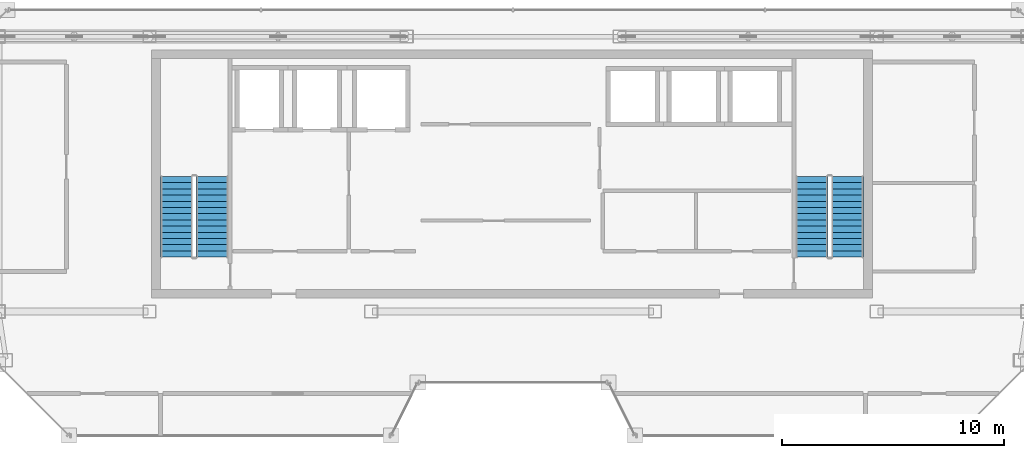
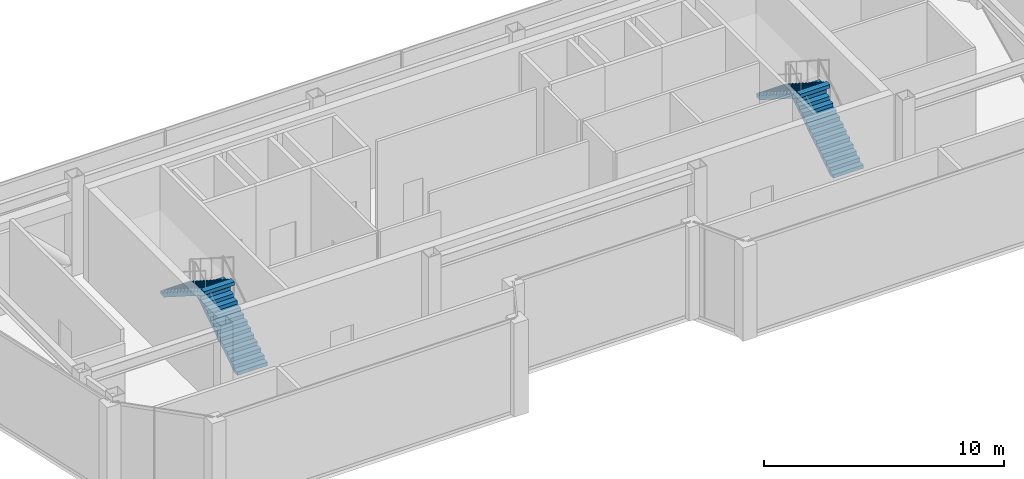
# One storey, part 17 of 20: 4 stair flights, 2 elements without a shape of their own.
"""IFC4 building model written with IfcOpenShell, lengths in metres."""

from ifc_helpers import new_model, si_unit, direction, frame, origin, place, context, subcontext, project, spatial, polyline, outline, extrude, material, type_object, element, aggregate, save


model = new_model("IFC4")

# Units and contexts
model_context = context("Model", 3, precision=1e-05, world=origin(), true_north=direction((0.0, 1.0)))
body_context = subcontext(model_context, "Body", "Model", "MODEL_VIEW")
ifc_project = project(units=[si_unit("LENGTHUNIT", "METRE"), si_unit("AREAUNIT", "SQUARE_METRE"), si_unit("VOLUMEUNIT", "CUBIC_METRE"), si_unit("PLANEANGLEUNIT", "RADIAN"), si_unit("MASSUNIT", "GRAM", prefix="KILO")], contexts=[model_context])

# Site, building, storey
site_placement = place(None, origin())
site = spatial("IfcSite", under=ifc_project, at=site_placement, CompositionType="ELEMENT")
building_placement = place(site_placement, origin())
building = spatial("IfcBuilding", under=site, at=building_placement, Name="Saevonmaru Cultural Tower", CompositionType="ELEMENT")
storey_placement = place(building_placement, frame((0.0, 0.0, 314.199951171875)))
storey = spatial("IfcBuildingStorey", under=building, at=storey_placement, Name="L75", CompositionType="ELEMENT", Elevation=314.199951171875)

# Stair, stair flights
ifc_material_1 = material(Name="Concrete C40/50", Category="concrete")
stair_type = type_object("IfcStairType", Name="STR-DOGLEG-RC", PredefinedType="HALF_TURN_STAIR", material=ifc_material_1)
stair_1_placement = place(storey_placement, origin())
stair_1 = element("IfcStair", 1, at=stair_1_placement, inside=storey, type_object=stair_type, Name="L75 Protected exit stair ST-1", PredefinedType="HALF_TURN_STAIR")
ifc_material_2 = material(Name="Precast concrete C40/50", Category="concrete")
stair_flight_type = type_object("IfcStairFlightType", Name="STF-PRECAST-180", PredefinedType="STRAIGHT", material=ifc_material_2)
stair_flight_1_placement = place(storey_placement, frame((16.425048828125, 44.85009765625, 0.0), z_axis=(0.0, 0.0, 1.0), x_axis=(0.0, 1.0, 0.0)))
stair_flight_1 = element("IfcStairFlight", 2, at=stair_flight_1_placement, type_object=stair_flight_type, Name="ST-1-L75 flight 1", NumberOfRisers=14, NumberOfTreads=13, PredefinedType="STRAIGHT", RiserHeight=0.178571429, TreadLength=0.28, context=body_context, shape_type="SweptSolid", body=[
    extrude(outline(polyline([(0.0, 0.0), (0.0, 0.178466796875), (0.280029296875, 0.178466796875), (0.280029296875, 0.357177734375), (0.56005859375, 0.357177734375), (0.56005859375, 0.53564453125), (0.840087890625, 0.53564453125), (0.840087890625, 0.71435546875), (1.1201171875, 0.71435546875), (1.1201171875, 0.892822265625), (1.39990234375, 0.892822265625), (1.39990234375, 1.071533203125), (1.679931640625, 1.071533203125), (1.679931640625, 1.25), (1.9599609375, 1.25), (1.9599609375, 1.428466796875), (2.239990234375, 1.428466796875), (2.239990234375, 1.607177734375), (2.52001953125, 1.607177734375), (2.52001953125, 1.78564453125), (2.800048828125, 1.78564453125), (2.800048828125, 1.96435546875), (3.080078125, 1.96435546875), (3.080078125, 2.142822265625), (3.360107421875, 2.142822265625), (3.360107421875, 2.321533203125), (3.639892578125, 2.321533203125), (3.639892578125, 2.5), (3.639892578125, 2.1435546875), (0.27880859375, 0.0), (0.0, 0.0)])), frame((0.0, 0.72509765625, 0.0), z_axis=(0.0, -1.0, 0.0), x_axis=(1.0, 0.0, 0.0)), (0.0, 0.0, 1.0), 1.449951171875),
])
stair_flight_2_placement = place(storey_placement, frame((14.824951171875, 48.489990234375, 2.5), z_axis=(0.0, 0.0, 1.0), x_axis=(0.0, -1.0, 0.0)))
stair_flight_2 = element("IfcStairFlight", 3, at=stair_flight_2_placement, type_object=stair_flight_type, Name="ST-1-L75 flight 2", NumberOfRisers=14, NumberOfTreads=13, PredefinedType="STRAIGHT", RiserHeight=0.178571429, TreadLength=0.28, context=body_context, shape_type="SweptSolid", body=[
    extrude(outline(polyline([(0.0, 0.0), (0.0, 0.178466796875), (0.280029296875, 0.178466796875), (0.280029296875, 0.357177734375), (0.56005859375, 0.357177734375), (0.56005859375, 0.53564453125), (0.840087890625, 0.53564453125), (0.840087890625, 0.71435546875), (1.1201171875, 0.71435546875), (1.1201171875, 0.892822265625), (1.39990234375, 0.892822265625), (1.39990234375, 1.071533203125), (1.679931640625, 1.071533203125), (1.679931640625, 1.25), (1.9599609375, 1.25), (1.9599609375, 1.428466796875), (2.239990234375, 1.428466796875), (2.239990234375, 1.607177734375), (2.52001953125, 1.607177734375), (2.52001953125, 1.78564453125), (2.800048828125, 1.78564453125), (2.800048828125, 1.96435546875), (3.080078125, 1.96435546875), (3.080078125, 2.142822265625), (3.360107421875, 2.142822265625), (3.360107421875, 2.321533203125), (3.639892578125, 2.321533203125), (3.639892578125, 2.5), (3.639892578125, 2.1435546875), (0.27880859375, 0.0), (0.0, 0.0)])), frame((0.0, 0.72509765625, 0.0), z_axis=(0.0, -1.0, 0.0), x_axis=(1.0, 0.0, 0.0)), (0.0, 0.0, 1.0), 1.449951171875),
])
aggregate(stair_1, [stair_flight_1, stair_flight_2])

stair_2_placement = place(storey_placement, origin())
stair_2 = element("IfcStair", 4, at=stair_2_placement, inside=storey, type_object=stair_type, Name="L75 Protected exit stair ST-2", PredefinedType="HALF_TURN_STAIR")
stair_flight_3_placement = place(storey_placement, frame((45.074951171875, 44.85009765625, 0.0), z_axis=(0.0, 0.0, 1.0), x_axis=(0.0, 1.0, 0.0)))
stair_flight_3 = element("IfcStairFlight", 5, at=stair_flight_3_placement, type_object=stair_flight_type, Name="ST-2-L75 flight 1", NumberOfRisers=14, NumberOfTreads=13, PredefinedType="STRAIGHT", RiserHeight=0.178571429, TreadLength=0.28, context=body_context, shape_type="SweptSolid", body=[
    extrude(outline(polyline([(0.0, 0.0), (0.0, 0.178466796875), (0.280029296875, 0.178466796875), (0.280029296875, 0.357177734375), (0.56005859375, 0.357177734375), (0.56005859375, 0.53564453125), (0.840087890625, 0.53564453125), (0.840087890625, 0.71435546875), (1.1201171875, 0.71435546875), (1.1201171875, 0.892822265625), (1.39990234375, 0.892822265625), (1.39990234375, 1.071533203125), (1.679931640625, 1.071533203125), (1.679931640625, 1.25), (1.9599609375, 1.25), (1.9599609375, 1.428466796875), (2.239990234375, 1.428466796875), (2.239990234375, 1.607177734375), (2.52001953125, 1.607177734375), (2.52001953125, 1.78564453125), (2.800048828125, 1.78564453125), (2.800048828125, 1.96435546875), (3.080078125, 1.96435546875), (3.080078125, 2.142822265625), (3.360107421875, 2.142822265625), (3.360107421875, 2.321533203125), (3.639892578125, 2.321533203125), (3.639892578125, 2.5), (3.639892578125, 2.1435546875), (0.27880859375, 0.0), (0.0, 0.0)])), frame((0.0, 0.72509765625, 0.0), z_axis=(0.0, -1.0, 0.0), x_axis=(1.0, 0.0, 0.0)), (0.0, 0.0, 1.0), 1.449951171875),
])
stair_flight_4_placement = place(storey_placement, frame((43.47509765625, 48.489990234375, 2.5), z_axis=(0.0, 0.0, 1.0), x_axis=(0.0, -1.0, 0.0)))
stair_flight_4 = element("IfcStairFlight", 6, at=stair_flight_4_placement, type_object=stair_flight_type, Name="ST-2-L75 flight 2", NumberOfRisers=14, NumberOfTreads=13, PredefinedType="STRAIGHT", RiserHeight=0.178571429, TreadLength=0.28, context=body_context, shape_type="SweptSolid", body=[
    extrude(outline(polyline([(0.0, 0.0), (0.0, 0.178466796875), (0.280029296875, 0.178466796875), (0.280029296875, 0.357177734375), (0.56005859375, 0.357177734375), (0.56005859375, 0.53564453125), (0.840087890625, 0.53564453125), (0.840087890625, 0.71435546875), (1.1201171875, 0.71435546875), (1.1201171875, 0.892822265625), (1.39990234375, 0.892822265625), (1.39990234375, 1.071533203125), (1.679931640625, 1.071533203125), (1.679931640625, 1.25), (1.9599609375, 1.25), (1.9599609375, 1.428466796875), (2.239990234375, 1.428466796875), (2.239990234375, 1.607177734375), (2.52001953125, 1.607177734375), (2.52001953125, 1.78564453125), (2.800048828125, 1.78564453125), (2.800048828125, 1.96435546875), (3.080078125, 1.96435546875), (3.080078125, 2.142822265625), (3.360107421875, 2.142822265625), (3.360107421875, 2.321533203125), (3.639892578125, 2.321533203125), (3.639892578125, 2.5), (3.639892578125, 2.1435546875), (0.27880859375, 0.0), (0.0, 0.0)])), frame((0.0, 0.72509765625, 0.0), z_axis=(0.0, -1.0, 0.0), x_axis=(1.0, 0.0, 0.0)), (0.0, 0.0, 1.0), 1.449951171875),
])
aggregate(stair_2, [stair_flight_3, stair_flight_4])

save(model, "model.ifc")
